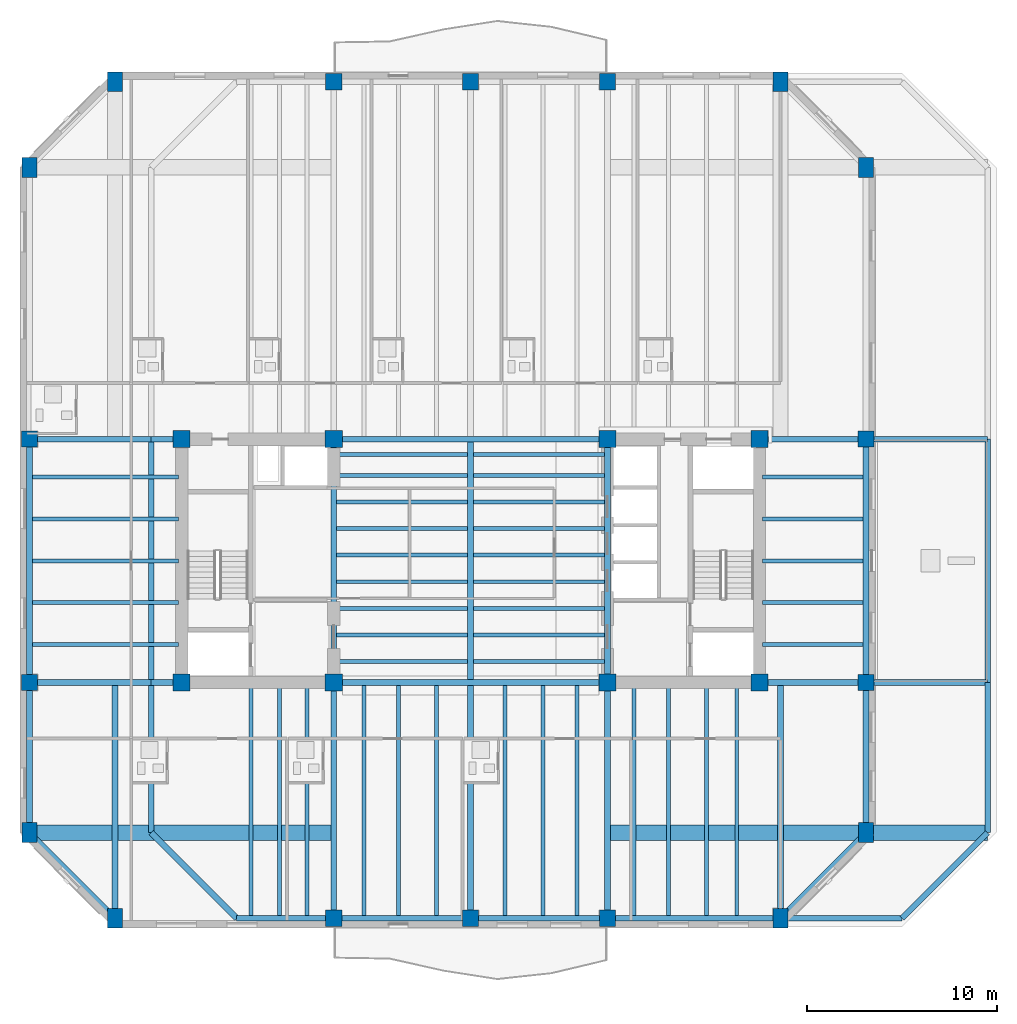
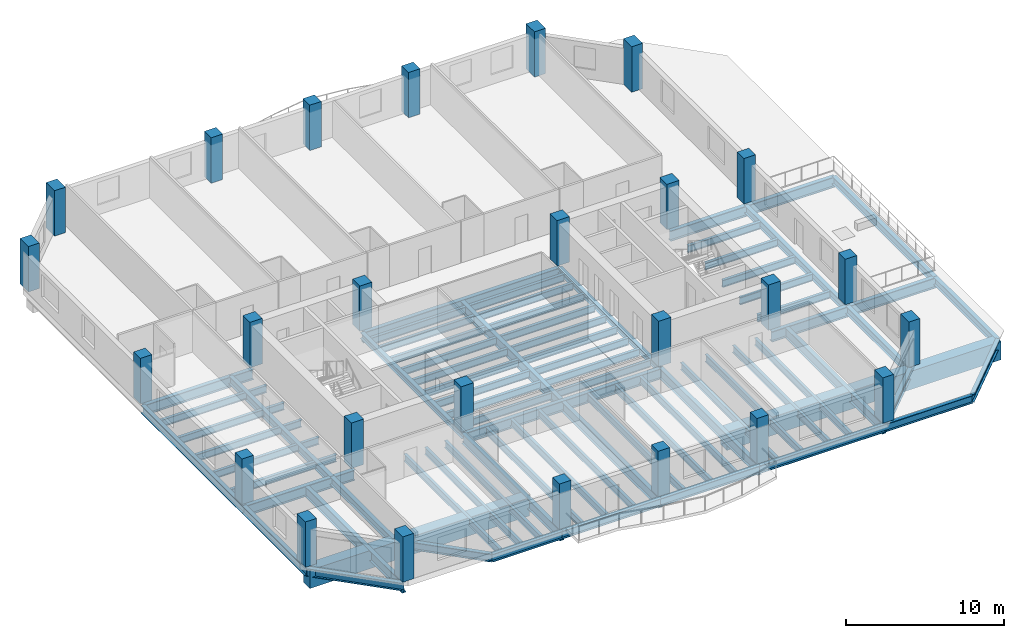
# One storey, part 1 of 11: 75 beams, 26 columns.
"""IFC4 building model written with IfcOpenShell, lengths in metres."""

from ifc_helpers import new_model, si_unit, direction, frame, origin, origin_2d, place, context, subcontext, project, spatial, rectangle, i_section, extrude, material, material_profile, profile_set, type_object, element, save


model = new_model("IFC4")

# Units and contexts
model_context = context("Model", 3, precision=1e-05, world=origin(), true_north=direction((0.0, 1.0)))
body_context = subcontext(model_context, "Body", "Model", "MODEL_VIEW")
ifc_project = project(units=[si_unit("LENGTHUNIT", "METRE"), si_unit("AREAUNIT", "SQUARE_METRE"), si_unit("VOLUMEUNIT", "CUBIC_METRE"), si_unit("PLANEANGLEUNIT", "RADIAN"), si_unit("MASSUNIT", "GRAM", prefix="KILO")], contexts=[model_context])

# Site, building, storey
site_placement = place(None, origin())
site = spatial("IfcSite", under=ifc_project, at=site_placement, CompositionType="ELEMENT")
building_placement = place(site_placement, origin())
building = spatial("IfcBuilding", under=site, at=building_placement, Name="Kranthara Brick Stack", CompositionType="ELEMENT")
storey_placement = place(building_placement, frame((0.0, 0.0, 183.300048828125)))
storey = spatial("IfcBuildingStorey", under=building, at=storey_placement, Name="L47", CompositionType="ELEMENT", Elevation=183.300048828125)

# Columns
ifc_material_1 = material(Name="Concrete C60/75", Category="concrete")
ifc_material_profile_1 = material_profile(ifc_material_1, rectangle(XDim=0.800048828125, YDim=1.050048828125, at=origin_2d()), Name="RC 800x1050")
ifc_profile_set_1 = profile_set([ifc_material_profile_1], Name="Concrete C60/75")
column_type_1 = type_object("IfcColumnType", Name="COL-CHAM-800x1050", PredefinedType="COLUMN", material=ifc_profile_set_1)
for number, where, z_axis, x_axis, name in (
    (1, (9.300048828125, 8.39990234375, 0.0), (0.0, 0.0, 1.0), (1.0, 0.0, 0.0), "L47 Column 09"),
    (2, (9.300048828125, 52.39990234375, 0.0), (0.0, 0.0, 1.0), (1.0, 0.0, 0.0), "L47 Column 10"),
    (3, (44.300048828125, 8.39990234375, 0.0), (0.0, 0.0, 1.0), (1.0, 0.0, 0.0), "L47 Column 17"),
    (4, (44.300048828125, 52.39990234375, 0.0), (0.0, 0.0, 1.0), (1.0, 0.0, 0.0), "L47 Column 18"),
    (5, (4.800048828125, 12.89990234375, 0.0), (0.0, 0.0, 1.0), (1.0, 0.0, 0.0), "L47 Column 19"),
    (6, (48.800048828125, 12.89990234375, 0.0), (0.0, 0.0, 1.0), (1.0, 0.0, 0.0), "L47 Column 20"),
    (7, (4.800048828125, 47.89990234375, 0.0), (0.0, 0.0, 1.0), (1.0, 0.0, 0.0), "L47 Column 25"),
    (8, (48.800048828125, 47.89990234375, 0.0), (0.0, 0.0, 1.0), (1.0, 0.0, 0.0), "L47 Column 26"),
):
    element("IfcColumn", number, at=place(storey_placement, frame(where, z_axis=z_axis, x_axis=x_axis)), inside=storey, type_object=column_type_1, Name=name, PredefinedType="COLUMN", context=body_context, shape_type="SweptSolid", body=[
        extrude(rectangle(XDim=0.800048828125, YDim=1.050048828125, at=origin_2d()), origin(), (0.0, 0.0, 1.0), 3.5),
    ])
ifc_material_2 = material(Name="Concrete C60/75", Category="concrete")
ifc_material_profile_2 = material_profile(ifc_material_2, rectangle(XDim=0.89990234375, YDim=0.89990234375, at=origin_2d()), Name="RC 900x900")
ifc_profile_set_2 = profile_set([ifc_material_profile_2], Name="Concrete C60/75")
column_type_2 = type_object("IfcColumnType", Name="COL-CORE-900", PredefinedType="COLUMN", material=ifc_profile_set_2)
for number, where, z_axis, x_axis, name in (
    (9, (12.800048828125, 20.800048828125, 0.0), (0.0, 0.0, 1.0), (1.0, 0.0, 0.0), "L47 Column 01"),
    (10, (20.800048828125, 20.800048828125, 0.0), (0.0, 0.0, 1.0), (1.0, 0.0, 0.0), "L47 Column 02"),
    (11, (12.800048828125, 33.60009765625, 0.0), (0.0, 0.0, 1.0), (1.0, 0.0, 0.0), "L47 Column 03"),
    (12, (20.800048828125, 33.60009765625, 0.0), (0.0, 0.0, 1.0), (1.0, 0.0, 0.0), "L47 Column 04"),
    (13, (35.199951171875, 20.800048828125, 0.0), (0.0, 0.0, 1.0), (1.0, 0.0, 0.0), "L47 Column 05"),
    (14, (43.199951171875, 20.800048828125, 0.0), (0.0, 0.0, 1.0), (1.0, 0.0, 0.0), "L47 Column 06"),
    (15, (35.199951171875, 33.60009765625, 0.0), (0.0, 0.0, 1.0), (1.0, 0.0, 0.0), "L47 Column 07"),
    (16, (43.199951171875, 33.60009765625, 0.0), (0.0, 0.0, 1.0), (1.0, 0.0, 0.0), "L47 Column 08"),
):
    element("IfcColumn", number, at=place(storey_placement, frame(where, z_axis=z_axis, x_axis=x_axis)), inside=storey, type_object=column_type_2, Name=name, PredefinedType="COLUMN", context=body_context, shape_type="SweptSolid", body=[
        extrude(rectangle(XDim=0.89990234375, YDim=0.89990234375, at=origin_2d()), origin(), (0.0, 0.0, 1.0), 3.5),
    ])
ifc_material_3 = material(Name="Concrete C50/60", Category="concrete")
ifc_material_profile_3 = material_profile(ifc_material_3, rectangle(XDim=0.85009765625, YDim=0.85009765625, at=origin_2d()), Name="RC 850x850")
ifc_profile_set_3 = profile_set([ifc_material_profile_3], Name="Concrete C50/60")
column_type_3 = type_object("IfcColumnType", Name="COL-PER-850", PredefinedType="COLUMN", material=ifc_profile_set_3)
for number, where, z_axis, x_axis, name in (
    (17, (20.800048828125, 8.39990234375, 0.0), (0.0, 0.0, 1.0), (1.0, 0.0, 0.0), "L47 Column 11"),
    (18, (20.800048828125, 52.39990234375, 0.0), (0.0, 0.0, 1.0), (1.0, 0.0, 0.0), "L47 Column 12"),
    (19, (28.0, 8.39990234375, 0.0), (0.0, 0.0, 1.0), (1.0, 0.0, 0.0), "L47 Column 13"),
    (20, (28.0, 52.39990234375, 0.0), (0.0, 0.0, 1.0), (1.0, 0.0, 0.0), "L47 Column 14"),
    (21, (35.199951171875, 8.39990234375, 0.0), (0.0, 0.0, 1.0), (1.0, 0.0, 0.0), "L47 Column 15"),
    (22, (35.199951171875, 52.39990234375, 0.0), (0.0, 0.0, 1.0), (1.0, 0.0, 0.0), "L47 Column 16"),
    (23, (4.800048828125, 20.800048828125, 0.0), (0.0, 0.0, 1.0), (1.0, 0.0, 0.0), "L47 Column 21"),
    (24, (48.800048828125, 20.800048828125, 0.0), (0.0, 0.0, 1.0), (1.0, 0.0, 0.0), "L47 Column 22"),
    (25, (4.800048828125, 33.60009765625, 0.0), (0.0, 0.0, 1.0), (1.0, 0.0, 0.0), "L47 Column 23"),
    (26, (48.800048828125, 33.60009765625, 0.0), (0.0, 0.0, 1.0), (1.0, 0.0, 0.0), "L47 Column 24"),
):
    element("IfcColumn", number, at=place(storey_placement, frame(where, z_axis=z_axis, x_axis=x_axis)), inside=storey, type_object=column_type_3, Name=name, PredefinedType="COLUMN", context=body_context, shape_type="SweptSolid", body=[
        extrude(rectangle(XDim=0.85009765625, YDim=0.85009765625, at=origin_2d()), origin(), (0.0, 0.0, 1.0), 3.5),
    ])

# Beams
ifc_material_4 = material(Name="Steel S355", Category="steel")
ifc_material_profile_4 = material_profile(ifc_material_4, i_section(OverallWidth=0.2099609375, OverallDepth=0.550048828125, WebThickness=0.010986328125, FlangeThickness=0.01708984375, at=origin_2d()), Name="IPE 550")
ifc_profile_set_4 = profile_set([ifc_material_profile_4], Name="Steel S355")
beam_type_1 = type_object("IfcBeamType", Name="BM-JST-IPE550", PredefinedType="JOIST", material=ifc_profile_set_4)
for number, where, z_axis, x_axis, name in (
    (27, (20.949951171875, 21.89990234375, -0.72509765625), (1.0, 0.0, 0.0), (0.0, 1.0, 0.0), "L47 Central Floor Joist 054"),
    (28, (28.14990234375, 21.89990234375, -0.72509765625), (1.0, 0.0, 0.0), (0.0, 1.0, 0.0), "L47 Central Floor Joist 055"),
    (29, (20.949951171875, 23.300048828125, -0.72509765625), (1.0, 0.0, 0.0), (0.0, 1.0, 0.0), "L47 Central Floor Joist 056"),
    (30, (28.14990234375, 23.300048828125, -0.72509765625), (1.0, 0.0, 0.0), (0.0, 1.0, 0.0), "L47 Central Floor Joist 057"),
    (31, (20.949951171875, 24.699951171875, -0.72509765625), (1.0, 0.0, 0.0), (0.0, 1.0, 0.0), "L47 Central Floor Joist 058"),
    (32, (28.14990234375, 24.699951171875, -0.72509765625), (1.0, 0.0, 0.0), (0.0, 1.0, 0.0), "L47 Central Floor Joist 059"),
    (33, (20.949951171875, 26.10009765625, -0.72509765625), (1.0, 0.0, 0.0), (0.0, 1.0, 0.0), "L47 Central Floor Joist 060"),
    (34, (28.14990234375, 26.10009765625, -0.72509765625), (1.0, 0.0, 0.0), (0.0, 1.0, 0.0), "L47 Central Floor Joist 061"),
    (35, (20.949951171875, 27.5, -0.72509765625), (1.0, 0.0, 0.0), (0.0, 1.0, 0.0), "L47 Central Floor Joist 062"),
    (36, (28.14990234375, 27.5, -0.72509765625), (1.0, 0.0, 0.0), (0.0, 1.0, 0.0), "L47 Central Floor Joist 063"),
    (37, (20.949951171875, 28.89990234375, -0.72509765625), (1.0, 0.0, 0.0), (0.0, 1.0, 0.0), "L47 Central Floor Joist 064"),
    (38, (28.14990234375, 28.89990234375, -0.72509765625), (1.0, 0.0, 0.0), (0.0, 1.0, 0.0), "L47 Central Floor Joist 065"),
    (39, (20.949951171875, 30.300048828125, -0.72509765625), (1.0, 0.0, 0.0), (0.0, 1.0, 0.0), "L47 Central Floor Joist 066"),
    (40, (28.14990234375, 30.300048828125, -0.72509765625), (1.0, 0.0, 0.0), (0.0, 1.0, 0.0), "L47 Central Floor Joist 067"),
    (41, (20.949951171875, 31.699951171875, -0.72509765625), (1.0, 0.0, 0.0), (0.0, 1.0, 0.0), "L47 Central Floor Joist 068"),
    (42, (28.14990234375, 31.699951171875, -0.72509765625), (1.0, 0.0, 0.0), (0.0, 1.0, 0.0), "L47 Central Floor Joist 069"),
    (43, (20.949951171875, 32.800048828125, -0.72509765625), (1.0, 0.0, 0.0), (0.0, 1.0, 0.0), "L47 Central Floor Joist 070"),
    (44, (28.14990234375, 32.800048828125, -0.72509765625), (1.0, 0.0, 0.0), (0.0, 1.0, 0.0), "L47 Central Floor Joist 071"),
):
    element("IfcBeam", number, at=place(storey_placement, frame(where, z_axis=z_axis, x_axis=x_axis)), inside=storey, type_object=beam_type_1, Name=name, PredefinedType="JOIST", context=body_context, shape_type="SweptSolid", body=[
        extrude(i_section(OverallWidth=0.2099609375, OverallDepth=0.550048828125, WebThickness=0.010986328125, FlangeThickness=0.01708984375, at=origin_2d()), origin(), (0.0, 0.0, 1.0), 6.900146484375),
    ])
for number, where, z_axis, x_axis, name in (
    (45, (16.449951171875, 8.550048828125, -0.72509765625), (0.0, 1.0, 0.0), (-1.0, 0.0, 0.0), "L47 South Wing Floor Joist 072"),
    (46, (17.949951171875, 8.550048828125, -0.72509765625), (0.0, 1.0, 0.0), (-1.0, 0.0, 0.0), "L47 South Wing Floor Joist 074"),
    (47, (19.39990234375, 8.550048828125, -0.72509765625), (0.0, 1.0, 0.0), (-1.0, 0.0, 0.0), "L47 South Wing Floor Joist 076"),
    (48, (22.39990234375, 8.550048828125, -0.72509765625), (0.0, 1.0, 0.0), (-1.0, 0.0, 0.0), "L47 South Wing Floor Joist 078"),
    (49, (24.199951171875, 8.550048828125, -0.72509765625), (0.0, 1.0, 0.0), (-1.0, 0.0, 0.0), "L47 South Wing Floor Joist 080"),
    (50, (26.199951171875, 8.550048828125, -0.72509765625), (0.0, 1.0, 0.0), (-1.0, 0.0, 0.0), "L47 South Wing Floor Joist 082"),
    (51, (29.800048828125, 8.550048828125, -0.72509765625), (0.0, 1.0, 0.0), (-1.0, 0.0, 0.0), "L47 South Wing Floor Joist 084"),
    (52, (31.800048828125, 8.550048828125, -0.72509765625), (0.0, 1.0, 0.0), (-1.0, 0.0, 0.0), "L47 South Wing Floor Joist 086"),
    (53, (33.60009765625, 8.550048828125, -0.72509765625), (0.0, 1.0, 0.0), (-1.0, 0.0, 0.0), "L47 South Wing Floor Joist 088"),
    (54, (36.60009765625, 8.550048828125, -0.72509765625), (0.0, 1.0, 0.0), (-1.0, 0.0, 0.0), "L47 South Wing Floor Joist 090"),
    (55, (38.39990234375, 8.550048828125, -0.72509765625), (0.0, 1.0, 0.0), (-1.0, 0.0, 0.0), "L47 South Wing Floor Joist 092"),
    (56, (40.39990234375, 8.550048828125, -0.72509765625), (0.0, 1.0, 0.0), (-1.0, 0.0, 0.0), "L47 South Wing Floor Joist 094"),
    (57, (42.0, 8.550048828125, -0.72509765625), (0.0, 1.0, 0.0), (-1.0, 0.0, 0.0), "L47 South Wing Floor Joist 096"),
):
    element("IfcBeam", number, at=place(storey_placement, frame(where, z_axis=z_axis, x_axis=x_axis)), inside=storey, type_object=beam_type_1, Name=name, PredefinedType="JOIST", context=body_context, shape_type="SweptSolid", body=[
        extrude(i_section(OverallWidth=0.2099609375, OverallDepth=0.550048828125, WebThickness=0.010986328125, FlangeThickness=0.01708984375, at=origin_2d()), origin(), (0.0, 0.0, 1.0), 12.099853515625),
    ])
beam_1_placement = place(storey_placement, frame((4.949951171875, 22.800048828125, -0.72509765625), z_axis=(1.0, 0.0, 0.0), x_axis=(0.0, 1.0, 0.0)))
element("IfcBeam", 58, at=beam_1_placement, inside=storey, type_object=beam_type_1, Name="L47 West Wing Floor Joist 098", PredefinedType="JOIST", context=body_context, shape_type="SweptSolid", body=[
    extrude(i_section(OverallWidth=0.2099609375, OverallDepth=0.550048828125, WebThickness=0.010986328125, FlangeThickness=0.01708984375, at=origin_2d()), origin(), (0.0, 0.0, 1.0), 7.699951171875),
])
beam_2_placement = place(storey_placement, frame((43.35009765625, 22.800048828125, -0.72509765625), z_axis=(1.0, 0.0, 0.0), x_axis=(0.0, 1.0, 0.0)))
element("IfcBeam", 59, at=beam_2_placement, inside=storey, type_object=beam_type_1, Name="L47 East Wing Floor Joist 099", PredefinedType="JOIST", context=body_context, shape_type="SweptSolid", body=[
    extrude(i_section(OverallWidth=0.2099609375, OverallDepth=0.550048828125, WebThickness=0.010986328125, FlangeThickness=0.01708984375, at=origin_2d()), origin(), (0.0, 0.0, 1.0), 5.2998046875),
])
beam_3_placement = place(storey_placement, frame((4.949951171875, 25.0, -0.72509765625), z_axis=(1.0, 0.0, 0.0), x_axis=(0.0, 1.0, 0.0)))
element("IfcBeam", 60, at=beam_3_placement, inside=storey, type_object=beam_type_1, Name="L47 West Wing Floor Joist 100", PredefinedType="JOIST", context=body_context, shape_type="SweptSolid", body=[
    extrude(i_section(OverallWidth=0.2099609375, OverallDepth=0.550048828125, WebThickness=0.010986328125, FlangeThickness=0.01708984375, at=origin_2d()), origin(), (0.0, 0.0, 1.0), 7.699951171875),
])
beam_4_placement = place(storey_placement, frame((43.35009765625, 25.0, -0.72509765625), z_axis=(1.0, 0.0, 0.0), x_axis=(0.0, 1.0, 0.0)))
element("IfcBeam", 61, at=beam_4_placement, inside=storey, type_object=beam_type_1, Name="L47 East Wing Floor Joist 101", PredefinedType="JOIST", context=body_context, shape_type="SweptSolid", body=[
    extrude(i_section(OverallWidth=0.2099609375, OverallDepth=0.550048828125, WebThickness=0.010986328125, FlangeThickness=0.01708984375, at=origin_2d()), origin(), (0.0, 0.0, 1.0), 5.2998046875),
])
beam_5_placement = place(storey_placement, frame((4.949951171875, 27.199951171875, -0.72509765625), z_axis=(1.0, 0.0, 0.0), x_axis=(0.0, 1.0, 0.0)))
element("IfcBeam", 62, at=beam_5_placement, inside=storey, type_object=beam_type_1, Name="L47 West Wing Floor Joist 102", PredefinedType="JOIST", context=body_context, shape_type="SweptSolid", body=[
    extrude(i_section(OverallWidth=0.2099609375, OverallDepth=0.550048828125, WebThickness=0.010986328125, FlangeThickness=0.01708984375, at=origin_2d()), origin(), (0.0, 0.0, 1.0), 7.699951171875),
])
beam_6_placement = place(storey_placement, frame((43.35009765625, 27.199951171875, -0.72509765625), z_axis=(1.0, 0.0, 0.0), x_axis=(0.0, 1.0, 0.0)))
element("IfcBeam", 63, at=beam_6_placement, inside=storey, type_object=beam_type_1, Name="L47 East Wing Floor Joist 103", PredefinedType="JOIST", context=body_context, shape_type="SweptSolid", body=[
    extrude(i_section(OverallWidth=0.2099609375, OverallDepth=0.550048828125, WebThickness=0.010986328125, FlangeThickness=0.01708984375, at=origin_2d()), origin(), (0.0, 0.0, 1.0), 5.2998046875),
])
beam_7_placement = place(storey_placement, frame((4.949951171875, 29.39990234375, -0.72509765625), z_axis=(1.0, 0.0, 0.0), x_axis=(0.0, 1.0, 0.0)))
element("IfcBeam", 64, at=beam_7_placement, inside=storey, type_object=beam_type_1, Name="L47 West Wing Floor Joist 104", PredefinedType="JOIST", context=body_context, shape_type="SweptSolid", body=[
    extrude(i_section(OverallWidth=0.2099609375, OverallDepth=0.550048828125, WebThickness=0.010986328125, FlangeThickness=0.01708984375, at=origin_2d()), origin(), (0.0, 0.0, 1.0), 7.699951171875),
])
beam_8_placement = place(storey_placement, frame((43.35009765625, 29.39990234375, -0.72509765625), z_axis=(1.0, 0.0, 0.0), x_axis=(0.0, 1.0, 0.0)))
element("IfcBeam", 65, at=beam_8_placement, inside=storey, type_object=beam_type_1, Name="L47 East Wing Floor Joist 105", PredefinedType="JOIST", context=body_context, shape_type="SweptSolid", body=[
    extrude(i_section(OverallWidth=0.2099609375, OverallDepth=0.550048828125, WebThickness=0.010986328125, FlangeThickness=0.01708984375, at=origin_2d()), origin(), (0.0, 0.0, 1.0), 5.2998046875),
])
beam_9_placement = place(storey_placement, frame((4.949951171875, 31.60009765625, -0.72509765625), z_axis=(1.0, 0.0, 0.0), x_axis=(0.0, 1.0, 0.0)))
element("IfcBeam", 66, at=beam_9_placement, inside=storey, type_object=beam_type_1, Name="L47 West Wing Floor Joist 106", PredefinedType="JOIST", context=body_context, shape_type="SweptSolid", body=[
    extrude(i_section(OverallWidth=0.2099609375, OverallDepth=0.550048828125, WebThickness=0.010986328125, FlangeThickness=0.01708984375, at=origin_2d()), origin(), (0.0, 0.0, 1.0), 7.699951171875),
])
beam_10_placement = place(storey_placement, frame((43.35009765625, 31.60009765625, -0.72509765625), z_axis=(1.0, 0.0, 0.0), x_axis=(0.0, 1.0, 0.0)))
element("IfcBeam", 67, at=beam_10_placement, inside=storey, type_object=beam_type_1, Name="L47 East Wing Floor Joist 107", PredefinedType="JOIST", context=body_context, shape_type="SweptSolid", body=[
    extrude(i_section(OverallWidth=0.2099609375, OverallDepth=0.550048828125, WebThickness=0.010986328125, FlangeThickness=0.01708984375, at=origin_2d()), origin(), (0.0, 0.0, 1.0), 5.2998046875),
])
ifc_material_5 = material(Name="Steel S355", Category="steel")
ifc_material_profile_5 = material_profile(ifc_material_5, i_section(OverallWidth=0.300048828125, OverallDepth=0.449951171875, WebThickness=0.013916015625, FlangeThickness=0.02587890625, at=origin_2d()), Name="HEB 450")
ifc_profile_set_5 = profile_set([ifc_material_profile_5], Name="Steel S355")
beam_type_2 = type_object("IfcBeamType", Name="BM-STL-HEB450", PredefinedType="SPANDREL", material=ifc_profile_set_5)
for number, where, z_axis, x_axis, name in (
    (68, (20.800048828125, 20.800048828125, -0.675048828125), (0.0, 1.0, 0.0), (-1.0, 0.0, 0.0), "L47 Core Edge Tie Beam 003"),
    (69, (35.199951171875, 20.800048828125, -0.675048828125), (0.0, 1.0, 0.0), (-1.0, 0.0, 0.0), "L47 Core Edge Tie Beam 004"),
):
    element("IfcBeam", number, at=place(storey_placement, frame(where, z_axis=z_axis, x_axis=x_axis)), inside=storey, type_object=beam_type_2, Name=name, PredefinedType="SPANDREL", context=body_context, shape_type="SweptSolid", body=[
        extrude(i_section(OverallWidth=0.300048828125, OverallDepth=0.449951171875, WebThickness=0.013916015625, FlangeThickness=0.02587890625, at=origin_2d()), origin(), (0.0, 0.0, 1.0), 12.800048828125),
    ])
ifc_material_6 = material(Name="Steel S355", Category="steel")
ifc_material_profile_6 = material_profile(ifc_material_6, i_section(OverallWidth=0.300048828125, OverallDepth=0.60009765625, WebThickness=0.015380859375, FlangeThickness=0.030029296875, at=origin_2d()), Name="HEB 600")
ifc_profile_set_6 = profile_set([ifc_material_profile_6], Name="Steel S355")
beam_type_3 = type_object("IfcBeamType", Name="BM-STL-HEB600", PredefinedType="BEAM", material=ifc_profile_set_6)
beam_11_placement = place(storey_placement, frame((15.699951171875, 8.39990234375, -0.75), z_axis=(1.0, 0.0, 0.0), x_axis=(0.0, 1.0, 0.0)))
element("IfcBeam", 70, at=beam_11_placement, inside=storey, type_object=beam_type_3, Name="L47 Perimeter Spandrel Beam 005", PredefinedType="BEAM", context=body_context, shape_type="SweptSolid", body=[
    extrude(i_section(OverallWidth=0.300048828125, OverallDepth=0.60009765625, WebThickness=0.015380859375, FlangeThickness=0.030029296875, at=origin_2d()), origin(), (0.0, 0.0, 1.0), 5.10009765625),
])
for number, where, z_axis, x_axis, name in (
    (71, (20.800048828125, 8.39990234375, -0.75), (1.0, 0.0, 0.0), (0.0, 1.0, 0.0), "L47 Perimeter Spandrel Beam 006"),
    (72, (28.0, 8.39990234375, -0.75), (1.0, 0.0, 0.0), (0.0, 1.0, 0.0), "L47 Perimeter Spandrel Beam 007"),
):
    element("IfcBeam", number, at=place(storey_placement, frame(where, z_axis=z_axis, x_axis=x_axis)), inside=storey, type_object=beam_type_3, Name=name, PredefinedType="BEAM", context=body_context, shape_type="SweptSolid", body=[
        extrude(i_section(OverallWidth=0.300048828125, OverallDepth=0.60009765625, WebThickness=0.015380859375, FlangeThickness=0.030029296875, at=origin_2d()), origin(), (0.0, 0.0, 1.0), 7.199951171875),
    ])
beam_12_placement = place(storey_placement, frame((35.199951171875, 8.39990234375, -0.75), z_axis=(1.0, 0.0, 0.0), x_axis=(0.0, 1.0, 0.0)))
element("IfcBeam", 73, at=beam_12_placement, inside=storey, type_object=beam_type_3, Name="L47 Perimeter Spandrel Beam 008", PredefinedType="BEAM", context=body_context, shape_type="SweptSolid", body=[
    extrude(i_section(OverallWidth=0.300048828125, OverallDepth=0.60009765625, WebThickness=0.015380859375, FlangeThickness=0.030029296875, at=origin_2d()), origin(), (0.0, 0.0, 1.0), 15.5),
])
beam_13_placement = place(storey_placement, frame((11.199951171875, 12.89990234375, -0.75), z_axis=(0.0, 1.0, 0.0), x_axis=(-1.0, 0.0, 0.0)))
element("IfcBeam", 74, at=beam_13_placement, inside=storey, type_object=beam_type_3, Name="L47 Perimeter Spandrel Beam 013", PredefinedType="BEAM", context=body_context, shape_type="SweptSolid", body=[
    extrude(i_section(OverallWidth=0.300048828125, OverallDepth=0.60009765625, WebThickness=0.015380859375, FlangeThickness=0.030029296875, at=origin_2d()), origin(), (0.0, 0.0, 1.0), 7.900146484375),
])
beam_14_placement = place(storey_placement, frame((11.199951171875, 20.800048828125, -0.75), z_axis=(0.0, 1.0, 0.0), x_axis=(-1.0, 0.0, 0.0)))
element("IfcBeam", 75, at=beam_14_placement, inside=storey, type_object=beam_type_3, Name="L47 Perimeter Spandrel Beam 014", PredefinedType="BEAM", context=body_context, shape_type="SweptSolid", body=[
    extrude(i_section(OverallWidth=0.300048828125, OverallDepth=0.60009765625, WebThickness=0.015380859375, FlangeThickness=0.030029296875, at=origin_2d()), origin(), (0.0, 0.0, 1.0), 12.800048828125),
])
beam_15_placement = place(storey_placement, frame((55.199951171875, 12.89990234375, -0.75), z_axis=(0.0, 1.0, 0.0), x_axis=(-1.0, 0.0, 0.0)))
element("IfcBeam", 76, at=beam_15_placement, inside=storey, type_object=beam_type_3, Name="L47 Perimeter Spandrel Beam 016", PredefinedType="BEAM", context=body_context, shape_type="SweptSolid", body=[
    extrude(i_section(OverallWidth=0.300048828125, OverallDepth=0.60009765625, WebThickness=0.015380859375, FlangeThickness=0.030029296875, at=origin_2d()), origin(), (0.0, 0.0, 1.0), 7.900146484375),
])
beam_16_placement = place(storey_placement, frame((55.199951171875, 20.800048828125, -0.75), z_axis=(0.0, 1.0, 0.0), x_axis=(-1.0, 0.0, 0.0)))
element("IfcBeam", 77, at=beam_16_placement, inside=storey, type_object=beam_type_3, Name="L47 Perimeter Spandrel Beam 017", PredefinedType="BEAM", context=body_context, shape_type="SweptSolid", body=[
    extrude(i_section(OverallWidth=0.300048828125, OverallDepth=0.60009765625, WebThickness=0.015380859375, FlangeThickness=0.030029296875, at=origin_2d()), origin(), (0.0, 0.0, 1.0), 12.800048828125),
])
for number, where, z_axis, x_axis, name in (
    (78, (15.699951171875, 8.39990234375, -0.75), (-0.707106781187, 0.707106781187, 0.0), (-0.707106781187, -0.707106781187, 0.0), "L47 Chamfer Corner Spandrel 019"),
    (79, (50.699951171875, 8.39990234375, -0.75), (0.707106781187, 0.707106781187, 0.0), (-0.707106781187, 0.707106781187, 0.0), "L47 Chamfer Corner Spandrel 020"),
):
    element("IfcBeam", number, at=place(storey_placement, frame(where, z_axis=z_axis, x_axis=x_axis)), inside=storey, type_object=beam_type_3, Name=name, PredefinedType="BEAM", context=body_context, shape_type="SweptSolid", body=[
        extrude(i_section(OverallWidth=0.300048828125, OverallDepth=0.60009765625, WebThickness=0.015380859375, FlangeThickness=0.030029296875, at=origin_2d()), origin(), (0.0, 0.0, 1.0), 6.364013671875),
    ])
beam_17_placement = place(storey_placement, frame((4.800048828125, 12.89990234375, -0.75), z_axis=(0.0, 1.0, 0.0), x_axis=(-1.0, 0.0, 0.0)))
element("IfcBeam", 80, at=beam_17_placement, inside=storey, type_object=beam_type_3, Name="L47 Perimeter Spandrel Beam 023", PredefinedType="BEAM", context=body_context, shape_type="SweptSolid", body=[
    extrude(i_section(OverallWidth=0.300048828125, OverallDepth=0.60009765625, WebThickness=0.015380859375, FlangeThickness=0.030029296875, at=origin_2d()), origin(), (0.0, 0.0, 1.0), 7.900146484375),
])
beam_18_placement = place(storey_placement, frame((4.800048828125, 20.800048828125, -0.75), z_axis=(0.0, 1.0, 0.0), x_axis=(-1.0, 0.0, 0.0)))
element("IfcBeam", 81, at=beam_18_placement, inside=storey, type_object=beam_type_3, Name="L47 Perimeter Spandrel Beam 024", PredefinedType="BEAM", context=body_context, shape_type="SweptSolid", body=[
    extrude(i_section(OverallWidth=0.300048828125, OverallDepth=0.60009765625, WebThickness=0.015380859375, FlangeThickness=0.030029296875, at=origin_2d()), origin(), (0.0, 0.0, 1.0), 12.800048828125),
])
beam_19_placement = place(storey_placement, frame((48.800048828125, 12.89990234375, -0.75), z_axis=(0.0, 1.0, 0.0), x_axis=(-1.0, 0.0, 0.0)))
element("IfcBeam", 82, at=beam_19_placement, inside=storey, type_object=beam_type_3, Name="L47 Perimeter Spandrel Beam 026", PredefinedType="BEAM", context=body_context, shape_type="SweptSolid", body=[
    extrude(i_section(OverallWidth=0.300048828125, OverallDepth=0.60009765625, WebThickness=0.015380859375, FlangeThickness=0.030029296875, at=origin_2d()), origin(), (0.0, 0.0, 1.0), 7.900146484375),
])
beam_20_placement = place(storey_placement, frame((48.800048828125, 20.800048828125, -0.75), z_axis=(0.0, 1.0, 0.0), x_axis=(-1.0, 0.0, 0.0)))
element("IfcBeam", 83, at=beam_20_placement, inside=storey, type_object=beam_type_3, Name="L47 Perimeter Spandrel Beam 027", PredefinedType="BEAM", context=body_context, shape_type="SweptSolid", body=[
    extrude(i_section(OverallWidth=0.300048828125, OverallDepth=0.60009765625, WebThickness=0.015380859375, FlangeThickness=0.030029296875, at=origin_2d()), origin(), (0.0, 0.0, 1.0), 12.800048828125),
])
for number, where, z_axis, x_axis, name in (
    (84, (9.300048828125, 8.39990234375, -0.75), (-0.707106781187, 0.707106781187, 0.0), (-0.707106781187, -0.707106781187, 0.0), "L47 Chamfer Corner Spandrel 029"),
    (85, (44.300048828125, 8.39990234375, -0.75), (0.707106781187, 0.707106781187, 0.0), (-0.707106781187, 0.707106781187, 0.0), "L47 Chamfer Corner Spandrel 030"),
):
    element("IfcBeam", number, at=place(storey_placement, frame(where, z_axis=z_axis, x_axis=x_axis)), inside=storey, type_object=beam_type_3, Name=name, PredefinedType="BEAM", context=body_context, shape_type="SweptSolid", body=[
        extrude(i_section(OverallWidth=0.300048828125, OverallDepth=0.60009765625, WebThickness=0.015380859375, FlangeThickness=0.030029296875, at=origin_2d()), origin(), (0.0, 0.0, 1.0), 6.364013671875),
    ])
ifc_material_7 = material(Name="Steel S355", Category="steel")
ifc_material_profile_7 = material_profile(ifc_material_7, i_section(OverallWidth=0.300048828125, OverallDepth=0.800048828125, WebThickness=0.017578125, FlangeThickness=0.032958984375, at=origin_2d()), Name="HEB 800")
ifc_profile_set_7 = profile_set([ifc_material_profile_7], Name="Steel S355")
beam_type_4 = type_object("IfcBeamType", Name="BM-TR-HEB800", PredefinedType="BEAM", material=ifc_profile_set_7)
for number, where, z_axis, x_axis, name in (
    (86, (20.800048828125, 20.800048828125, -0.85009765625), (1.0, 0.0, 0.0), (0.0, 1.0, 0.0), "L47 Core Coupling Beam 001"),
    (87, (20.800048828125, 33.60009765625, -0.85009765625), (1.0, 0.0, 0.0), (0.0, 1.0, 0.0), "L47 Core Coupling Beam 002"),
):
    element("IfcBeam", number, at=place(storey_placement, frame(where, z_axis=z_axis, x_axis=x_axis)), inside=storey, type_object=beam_type_4, Name=name, PredefinedType="BEAM", context=body_context, shape_type="SweptSolid", body=[
        extrude(i_section(OverallWidth=0.300048828125, OverallDepth=0.800048828125, WebThickness=0.017578125, FlangeThickness=0.032958984375, at=origin_2d()), origin(), (0.0, 0.0, 1.0), 14.39990234375),
    ])
beam_21_placement = place(storey_placement, frame((20.800048828125, 8.39990234375, -0.85009765625), z_axis=(0.0, 1.0, 0.0), x_axis=(-1.0, 0.0, 0.0)))
element("IfcBeam", 88, at=beam_21_placement, inside=storey, type_object=beam_type_4, Name="L47 Primary Grid Girder 033", PredefinedType="BEAM", context=body_context, shape_type="SweptSolid", body=[
    extrude(i_section(OverallWidth=0.300048828125, OverallDepth=0.800048828125, WebThickness=0.017578125, FlangeThickness=0.032958984375, at=origin_2d()), origin(), (0.0, 0.0, 1.0), 12.400146484375),
])
beam_22_placement = place(storey_placement, frame((28.0, 8.39990234375, -0.85009765625), z_axis=(0.0, 1.0, 0.0), x_axis=(-1.0, 0.0, 0.0)))
element("IfcBeam", 89, at=beam_22_placement, inside=storey, type_object=beam_type_4, Name="L47 Primary Grid Girder 035", PredefinedType="BEAM", context=body_context, shape_type="SweptSolid", body=[
    extrude(i_section(OverallWidth=0.300048828125, OverallDepth=0.800048828125, WebThickness=0.017578125, FlangeThickness=0.032958984375, at=origin_2d()), origin(), (0.0, 0.0, 1.0), 12.25),
])
beam_23_placement = place(storey_placement, frame((28.0, 20.949951171875, -0.85009765625), z_axis=(0.0, 1.0, 0.0), x_axis=(-1.0, 0.0, 0.0)))
element("IfcBeam", 90, at=beam_23_placement, inside=storey, type_object=beam_type_4, Name="L47 Central Spine Girder 036", PredefinedType="BEAM", context=body_context, shape_type="SweptSolid", body=[
    extrude(i_section(OverallWidth=0.300048828125, OverallDepth=0.800048828125, WebThickness=0.017578125, FlangeThickness=0.032958984375, at=origin_2d()), origin(), (0.0, 0.0, 1.0), 12.5),
])
beam_24_placement = place(storey_placement, frame((35.199951171875, 8.39990234375, -0.85009765625), z_axis=(0.0, 1.0, 0.0), x_axis=(-1.0, 0.0, 0.0)))
element("IfcBeam", 91, at=beam_24_placement, inside=storey, type_object=beam_type_4, Name="L47 Primary Grid Girder 038", PredefinedType="BEAM", context=body_context, shape_type="SweptSolid", body=[
    extrude(i_section(OverallWidth=0.300048828125, OverallDepth=0.800048828125, WebThickness=0.017578125, FlangeThickness=0.032958984375, at=origin_2d()), origin(), (0.0, 0.0, 1.0), 12.400146484375),
])
beam_25_placement = place(storey_placement, frame((4.800048828125, 20.800048828125, -0.85009765625), z_axis=(1.0, 0.0, 0.0), x_axis=(0.0, 1.0, 0.0)))
element("IfcBeam", 92, at=beam_25_placement, inside=storey, type_object=beam_type_4, Name="L47 Primary Grid Girder 040", PredefinedType="BEAM", context=body_context, shape_type="SweptSolid", body=[
    extrude(i_section(OverallWidth=0.300048828125, OverallDepth=0.800048828125, WebThickness=0.017578125, FlangeThickness=0.032958984375, at=origin_2d()), origin(), (0.0, 0.0, 1.0), 6.39990234375),
])
beam_26_placement = place(storey_placement, frame((11.199951171875, 20.800048828125, -0.85009765625), z_axis=(1.0, 0.0, 0.0), x_axis=(0.0, 1.0, 0.0)))
element("IfcBeam", 93, at=beam_26_placement, inside=storey, type_object=beam_type_4, Name="L47 Primary Grid Girder 041", PredefinedType="BEAM", context=body_context, shape_type="SweptSolid", body=[
    extrude(i_section(OverallWidth=0.300048828125, OverallDepth=0.800048828125, WebThickness=0.017578125, FlangeThickness=0.032958984375, at=origin_2d()), origin(), (0.0, 0.0, 1.0), 1.60009765625),
])
beam_27_placement = place(storey_placement, frame((43.199951171875, 20.800048828125, -0.85009765625), z_axis=(1.0, 0.0, 0.0), x_axis=(0.0, 1.0, 0.0)))
element("IfcBeam", 94, at=beam_27_placement, inside=storey, type_object=beam_type_4, Name="L47 Primary Grid Girder 042", PredefinedType="BEAM", context=body_context, shape_type="SweptSolid", body=[
    extrude(i_section(OverallWidth=0.300048828125, OverallDepth=0.800048828125, WebThickness=0.017578125, FlangeThickness=0.032958984375, at=origin_2d()), origin(), (0.0, 0.0, 1.0), 12.0),
])
beam_28_placement = place(storey_placement, frame((4.800048828125, 33.60009765625, -0.85009765625), z_axis=(1.0, 0.0, 0.0), x_axis=(0.0, 1.0, 0.0)))
element("IfcBeam", 95, at=beam_28_placement, inside=storey, type_object=beam_type_4, Name="L47 Primary Grid Girder 043", PredefinedType="BEAM", context=body_context, shape_type="SweptSolid", body=[
    extrude(i_section(OverallWidth=0.300048828125, OverallDepth=0.800048828125, WebThickness=0.017578125, FlangeThickness=0.032958984375, at=origin_2d()), origin(), (0.0, 0.0, 1.0), 6.39990234375),
])
beam_29_placement = place(storey_placement, frame((11.199951171875, 33.60009765625, -0.85009765625), z_axis=(1.0, 0.0, 0.0), x_axis=(0.0, 1.0, 0.0)))
element("IfcBeam", 96, at=beam_29_placement, inside=storey, type_object=beam_type_4, Name="L47 Primary Grid Girder 044", PredefinedType="BEAM", context=body_context, shape_type="SweptSolid", body=[
    extrude(i_section(OverallWidth=0.300048828125, OverallDepth=0.800048828125, WebThickness=0.017578125, FlangeThickness=0.032958984375, at=origin_2d()), origin(), (0.0, 0.0, 1.0), 1.60009765625),
])
beam_30_placement = place(storey_placement, frame((43.199951171875, 33.60009765625, -0.85009765625), z_axis=(1.0, 0.0, 0.0), x_axis=(0.0, 1.0, 0.0)))
element("IfcBeam", 97, at=beam_30_placement, inside=storey, type_object=beam_type_4, Name="L47 Primary Grid Girder 045", PredefinedType="BEAM", context=body_context, shape_type="SweptSolid", body=[
    extrude(i_section(OverallWidth=0.300048828125, OverallDepth=0.800048828125, WebThickness=0.017578125, FlangeThickness=0.032958984375, at=origin_2d()), origin(), (0.0, 0.0, 1.0), 12.0),
])
for number, where, z_axis, x_axis, name in (
    (98, (9.300048828125, 8.39990234375, -0.85009765625), (0.0, 1.0, 0.0), (-1.0, 0.0, 0.0), "L47 Transfer Tie Girder 046"),
    (99, (44.300048828125, 8.39990234375, -0.85009765625), (0.0, 1.0, 0.0), (-1.0, 0.0, 0.0), "L47 Transfer Tie Girder 048"),
):
    element("IfcBeam", number, at=place(storey_placement, frame(where, z_axis=z_axis, x_axis=x_axis)), inside=storey, type_object=beam_type_4, Name=name, PredefinedType="BEAM", context=body_context, shape_type="SweptSolid", body=[
        extrude(i_section(OverallWidth=0.300048828125, OverallDepth=0.800048828125, WebThickness=0.017578125, FlangeThickness=0.032958984375, at=origin_2d()), origin(), (0.0, 0.0, 1.0), 12.400146484375),
    ])
ifc_material_8 = material(Name="Post-tensioned concrete C50/60", Category="concrete")
ifc_material_profile_8 = material_profile(ifc_material_8, rectangle(XDim=0.800048828125, YDim=1.39990234375, at=origin_2d()), Name="PT 800x1400")
ifc_profile_set_8 = profile_set([ifc_material_profile_8], Name="Post-tensioned concrete C50/60")
beam_type_5 = type_object("IfcBeamType", Name="BM-TR-PT1400", PredefinedType="T_BEAM", material=ifc_profile_set_8)
beam_31_placement = place(storey_placement, frame((4.800048828125, 12.89990234375, -1.150146484375), z_axis=(1.0, 0.0, 0.0), x_axis=(0.0, 1.0, 0.0)))
element("IfcBeam", 100, at=beam_31_placement, inside=storey, type_object=beam_type_5, Name="L47 Transfer Tie Girder 050", PredefinedType="T_BEAM", context=body_context, shape_type="SweptSolid", body=[
    extrude(rectangle(XDim=0.800048828125, YDim=1.39990234375, at=origin_2d()), origin(), (0.0, 0.0, 1.0), 16.0),
])
beam_32_placement = place(storey_placement, frame((55.199951171875, 12.89990234375, -1.150146484375), z_axis=(-1.0, 0.0, 0.0), x_axis=(0.0, -1.0, 0.0)))
element("IfcBeam", 101, at=beam_32_placement, inside=storey, type_object=beam_type_5, Name="L47 Transfer Tie Girder 051", PredefinedType="T_BEAM", context=body_context, shape_type="SweptSolid", body=[
    extrude(rectangle(XDim=0.800048828125, YDim=1.39990234375, at=origin_2d()), origin(), (0.0, 0.0, 1.0), 20.0),
])

save(model, "model.ifc")
